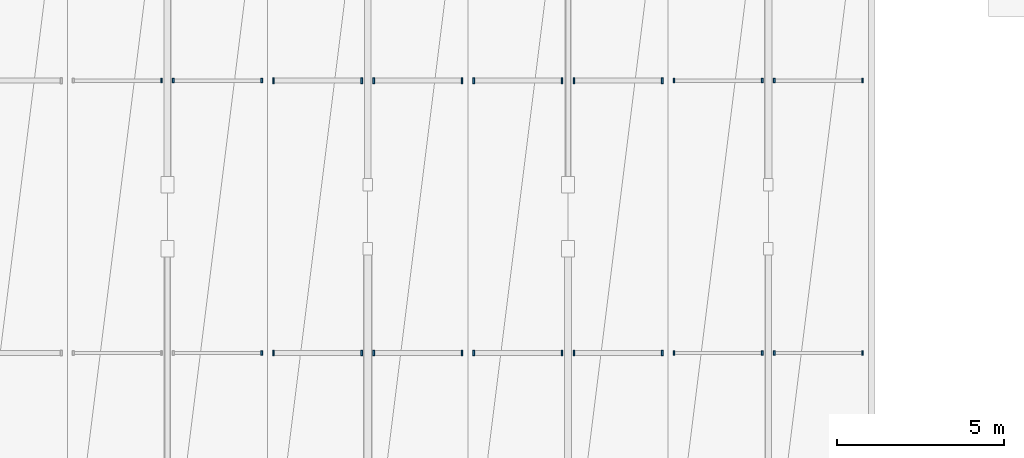
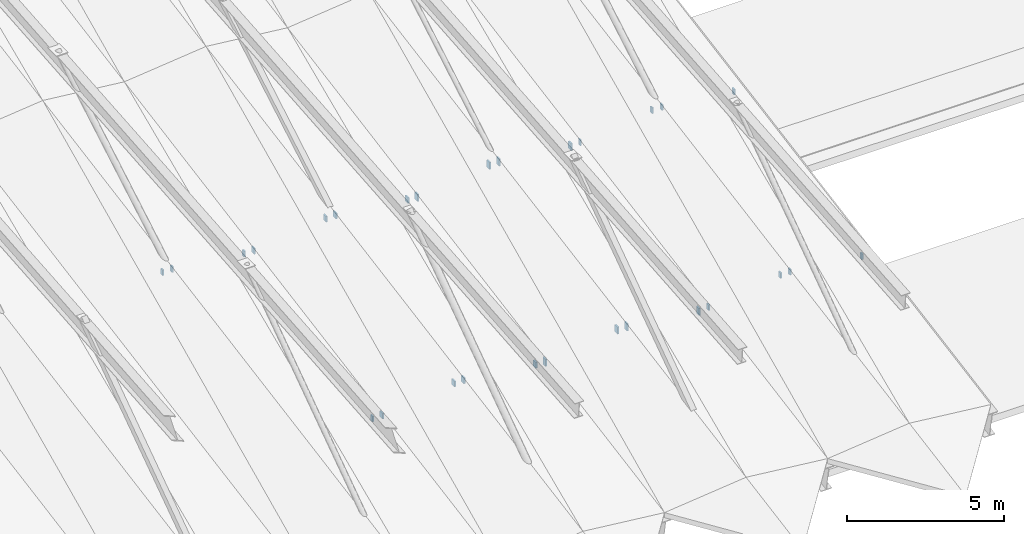
# One storey, part 39 of 52: 28 discrete accessories.
"""IFC4 building model written with IfcOpenShell, lengths in metres."""

from ifc_helpers import new_model, si_unit, direction, frame, origin, origin_2d, place, context, subcontext, project, spatial, rectangle, extrude, material, layer, layer_set, type_object, element, save


model = new_model("IFC4")

# Units and contexts
model_context = context("Model", 3, precision=1e-05, world=origin(), true_north=direction((0.0, 1.0)))
body_context = subcontext(model_context, "Body", "Model", "MODEL_VIEW")
ifc_project = project(units=[si_unit("LENGTHUNIT", "METRE"), si_unit("AREAUNIT", "SQUARE_METRE"), si_unit("VOLUMEUNIT", "CUBIC_METRE"), si_unit("PLANEANGLEUNIT", "RADIAN"), si_unit("MASSUNIT", "GRAM", prefix="KILO")], contexts=[model_context])

# Site, building, storey
site_placement = place(None, origin())
site = spatial("IfcSite", under=ifc_project, at=site_placement, CompositionType="ELEMENT")
building_placement = place(site_placement, origin())
building = spatial("IfcBuilding", under=site, at=building_placement, Name="Vaelkrest Opera House", CompositionType="ELEMENT")
storey_placement = place(building_placement, frame((0.0, 0.0, 41.39990234375)))
storey = spatial("IfcBuildingStorey", under=building, at=storey_placement, Name="ROOF", CompositionType="ELEMENT", Elevation=41.39990234375)

# Discrete accessories
ifc_material = material(Name="Steel A572 Gr50", Category="steel")
ifc_layer = layer(ifc_material, 0.320068359375)
ifc_layer_set = layer_set([ifc_layer], Name="Steel A572 Gr50")
discrete_accessory_type = type_object("IfcDiscreteAccessoryType", Name="ECP01", PredefinedType="USERDEFINED", material=ifc_layer_set)
for number, where, z_axis, x_axis, name in (
    (1, (11.822509765625, -47.8798828125, -15.275390625), (0.0, 0.0, 1.0), (1.0, 0.0, 0.0), "Purlin HSS end cap plate V1-07-S1-33-E1"),
    (2, (8.822509765625, -39.719970703125, -13.4912109375), (0.0, 0.0, 1.0), (1.0, 0.0, 0.0), "Purlin HSS end cap plate V1-07-S1-67-W1"),
    (3, (9.177490234375, -39.719970703125, -13.4912109375), (0.0, 0.0, 1.0), (1.0, 0.0, 0.0), "Purlin HSS end cap plate V1-07-S1-67-E0"),
    (4, (11.822509765625, -39.719970703125, -13.8154296875), (0.0, 0.0, 1.0), (1.0, 0.0, 0.0), "Purlin HSS end cap plate V1-07-S1-67-E1"),
):
    element("IfcDiscreteAccessory", number, at=place(storey_placement, frame(where, z_axis=z_axis, x_axis=x_axis)), inside=storey, type_object=discrete_accessory_type, Name=name, ObjectType="CAP PLATE", PredefinedType="USERDEFINED", context=body_context, shape_type="SweptSolid", body=[
        extrude(rectangle(XDim=0.054931640625, YDim=0.1259765625, at=origin_2d()), origin(), (0.0, 0.0, 1.0), 0.218994140625),
    ])
for number, where, z_axis, x_axis, name in (
    (5, (12.177490234375, -47.8798828125, -15.275390625), (0.0, 0.0, 1.0), (1.0, 0.0, 0.0), "Purlin HSS end cap plate V1-08-S1-33-W0"),
    (6, (14.822509765625, -47.8798828125, -14.951171875), (0.0, 0.0, 1.0), (1.0, 0.0, 0.0), "Purlin HSS end cap plate V1-08-S1-33-W1"),
    (7, (15.177490234375, -47.8798828125, -14.951171875), (0.0, 0.0, 1.0), (1.0, 0.0, 0.0), "Purlin HSS end cap plate V1-08-S1-33-E0"),
    (8, (17.822509765625, -47.8798828125, -15.275390625), (0.0, 0.0, 1.0), (1.0, 0.0, 0.0), "Purlin HSS end cap plate V1-08-S1-33-E1"),
    (9, (12.177490234375, -39.719970703125, -13.8154296875), (0.0, 0.0, 1.0), (1.0, 0.0, 0.0), "Purlin HSS end cap plate V1-08-S1-67-W0"),
    (10, (14.822509765625, -39.719970703125, -13.4912109375), (0.0, 0.0, 1.0), (1.0, 0.0, 0.0), "Purlin HSS end cap plate V1-08-S1-67-W1"),
    (11, (15.177490234375, -39.719970703125, -13.4912109375), (0.0, 0.0, 1.0), (1.0, 0.0, 0.0), "Purlin HSS end cap plate V1-08-S1-67-E0"),
    (12, (17.822509765625, -39.719970703125, -13.8154296875), (0.0, 0.0, 1.0), (1.0, 0.0, 0.0), "Purlin HSS end cap plate V1-08-S1-67-E1"),
):
    element("IfcDiscreteAccessory", number, at=place(storey_placement, frame(where, z_axis=z_axis, x_axis=x_axis)), inside=storey, type_object=discrete_accessory_type, Name=name, ObjectType="CAP PLATE", PredefinedType="USERDEFINED", context=body_context, shape_type="SweptSolid", body=[
        extrude(rectangle(XDim=0.054931640625, YDim=0.176025390625, at=origin_2d()), origin(), (0.0, 0.0, 1.0), 0.218994140625),
    ])
for number, where, z_axis, x_axis, name in (
    (13, (18.177490234375, -47.8798828125, -15.325927734375), (0.0, 0.0, 1.0), (1.0, 0.0, 0.0), "Purlin HSS end cap plate V1-09-S1-33-W0"),
    (14, (20.822509765625, -47.8798828125, -15.001953125), (0.0, 0.0, 1.0), (1.0, 0.0, 0.0), "Purlin HSS end cap plate V1-09-S1-33-W1"),
    (15, (21.177490234375, -47.8798828125, -15.001953125), (0.0, 0.0, 1.0), (1.0, 0.0, 0.0), "Purlin HSS end cap plate V1-09-S1-33-E0"),
    (16, (23.822509765625, -47.8798828125, -15.325927734375), (0.0, 0.0, 1.0), (1.0, 0.0, 0.0), "Purlin HSS end cap plate V1-09-S1-33-E1"),
    (17, (18.177490234375, -39.719970703125, -13.865966796875), (0.0, 0.0, 1.0), (1.0, 0.0, 0.0), "Purlin HSS end cap plate V1-09-S1-67-W0"),
    (18, (20.822509765625, -39.719970703125, -13.5419921875), (0.0, 0.0, 1.0), (1.0, 0.0, 0.0), "Purlin HSS end cap plate V1-09-S1-67-W1"),
    (19, (21.177490234375, -39.719970703125, -13.5419921875), (0.0, 0.0, 1.0), (1.0, 0.0, 0.0), "Purlin HSS end cap plate V1-09-S1-67-E0"),
    (20, (23.822509765625, -39.719970703125, -13.865966796875), (0.0, 0.0, 1.0), (1.0, 0.0, 0.0), "Purlin HSS end cap plate V1-09-S1-67-E1"),
):
    element("IfcDiscreteAccessory", number, at=place(storey_placement, frame(where, z_axis=z_axis, x_axis=x_axis)), inside=storey, type_object=discrete_accessory_type, Name=name, ObjectType="CAP PLATE", PredefinedType="USERDEFINED", context=body_context, shape_type="SweptSolid", body=[
        extrude(rectangle(XDim=0.054931640625, YDim=0.176025390625, at=origin_2d()), origin(), (0.0, 0.0, 1.0), 0.27001953125),
    ])
for number, where, z_axis, x_axis, name in (
    (21, (24.177490234375, -47.8798828125, -15.275390625), (0.0, 0.0, 1.0), (1.0, 0.0, 0.0), "Purlin HSS end cap plate V1-10-S1-33-W0"),
    (22, (26.822509765625, -47.8798828125, -14.951171875), (0.0, 0.0, 1.0), (1.0, 0.0, 0.0), "Purlin HSS end cap plate V1-10-S1-33-W1"),
    (23, (27.177490234375, -47.8798828125, -14.951171875), (0.0, 0.0, 1.0), (1.0, 0.0, 0.0), "Purlin HSS end cap plate V1-10-S1-33-E0"),
    (24, (29.822509765625, -47.8798828125, -15.275390625), (0.0, 0.0, 1.0), (1.0, 0.0, 0.0), "Purlin HSS end cap plate V1-10-S1-33-E1"),
    (25, (24.177490234375, -39.719970703125, -13.8154296875), (0.0, 0.0, 1.0), (1.0, 0.0, 0.0), "Purlin HSS end cap plate V1-10-S1-67-W0"),
    (26, (26.822509765625, -39.719970703125, -13.4912109375), (0.0, 0.0, 1.0), (1.0, 0.0, 0.0), "Purlin HSS end cap plate V1-10-S1-67-W1"),
    (27, (27.177490234375, -39.719970703125, -13.4912109375), (0.0, 0.0, 1.0), (1.0, 0.0, 0.0), "Purlin HSS end cap plate V1-10-S1-67-E0"),
    (28, (29.822509765625, -39.719970703125, -13.8154296875), (0.0, 0.0, 1.0), (1.0, 0.0, 0.0), "Purlin HSS end cap plate V1-10-S1-67-E1"),
):
    element("IfcDiscreteAccessory", number, at=place(storey_placement, frame(where, z_axis=z_axis, x_axis=x_axis)), inside=storey, type_object=discrete_accessory_type, Name=name, ObjectType="CAP PLATE", PredefinedType="USERDEFINED", context=body_context, shape_type="SweptSolid", body=[
        extrude(rectangle(XDim=0.054931640625, YDim=0.1259765625, at=origin_2d()), origin(), (0.0, 0.0, 1.0), 0.218994140625),
    ])

save(model, "model.ifc")
